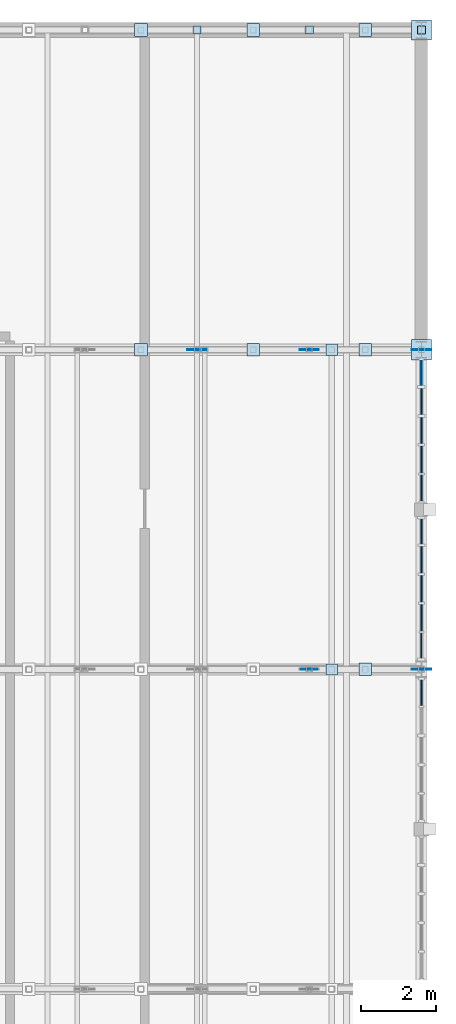
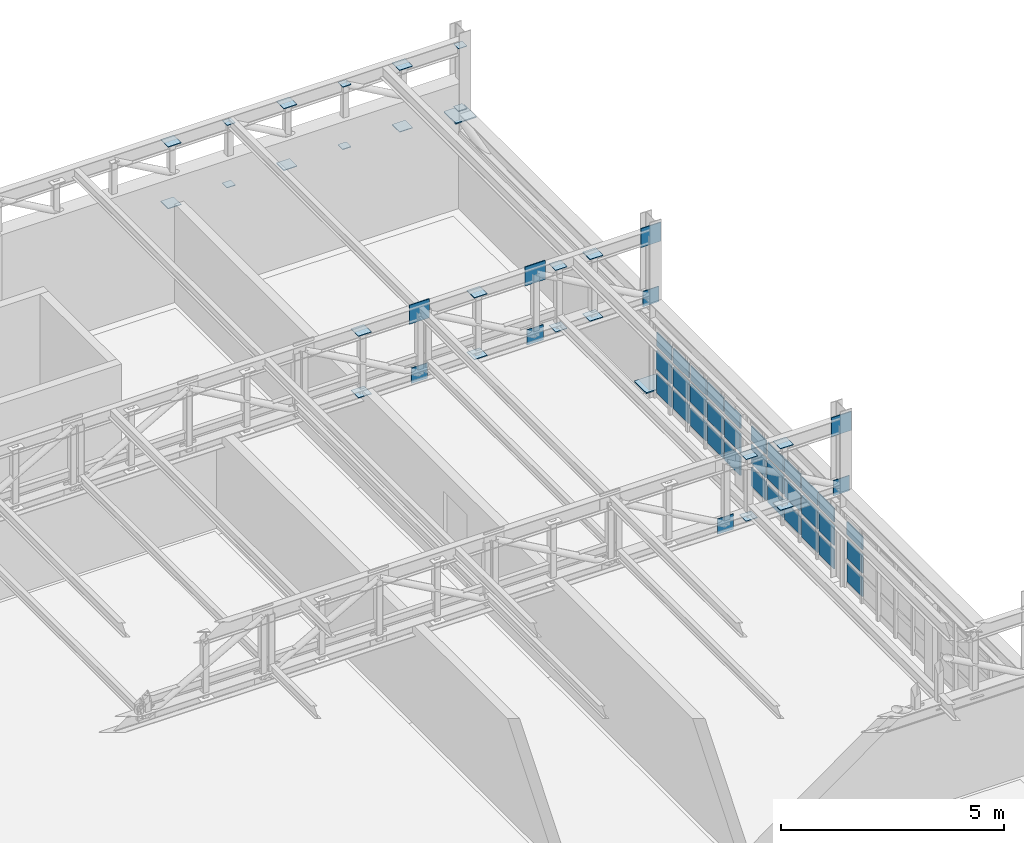
# One storey, part 112 of 128: 68 plates, 3 elements without a shape of their own.
"""IFC4 building model written with IfcOpenShell, lengths in metres."""

import ifcopenshell
import ifcopenshell.guid

model = None  # the IFC model being written
_history = None  # IfcOwnerHistory: only IFC2X3 demands one
_inside = {}  # id of a spatial element -> (the spatial element, [elements in it])
_under = {}  # id of a project, library or spatial element -> (it, [spatial elements below it])
_declared = {}  # id of a project -> (the project, [libraries it declares])
_typed = {}  # id of a type object -> (the type object, [elements of that type])
_made_of = {}  # id of a material, layer set ... -> (it, [elements and type objects made of it])


def new_model(schema):
    """Start an empty IFC model of exactly this schema.

    Asked for "IFC4X3", IfcOpenShell would pick the latest addendum, in which some entities
    have other attributes; the version numbers below select the first issue.
    IFC2X3 requires an IfcOwnerHistory on every rooted entity: one is made here for all.
    """
    global model, _history
    if schema == "IFC4X3":
        model = ifcopenshell.file(schema_version=(4, 3, 0, 0))
    else:
        model = ifcopenshell.file(schema=schema)
    _inside.clear()
    _under.clear()
    _declared.clear()
    _typed.clear()
    _made_of.clear()
    _history = None
    if model.schema == "IFC2X3":
        org = make("IfcOrganization", Name="unknown")
        user = make(
            "IfcPersonAndOrganization",
            ThePerson=make("IfcPerson", FamilyName="unknown"),
            TheOrganization=org,
        )
        app = make(
            "IfcApplication",
            ApplicationDeveloper=org,
            Version="unknown",
            ApplicationFullName="unknown",
            ApplicationIdentifier="unknown",
        )
        _history = make(
            "IfcOwnerHistory",
            OwningUser=user,
            OwningApplication=app,
            ChangeAction="ADDED",
            CreationDate=0,
        )
    return model


def make(cls, **values):
    """One entity of the class cls with the attributes given. An attribute that is None is left unset."""
    return model.create_entity(
        cls, **{name: value for name, value in values.items() if value is not None}
    )


def rooted(cls, **values):
    """An entity with a GlobalId (a new one), such as an element, a storey or a relation."""
    return make(cls, GlobalId=ifcopenshell.guid.new(), OwnerHistory=_history, **values)


def si_unit(unit_type, name, prefix=None):
    """IfcSIUnit, for example si_unit("LENGTHUNIT", "METRE", prefix="MILLI")."""
    return make("IfcSIUnit", UnitType=unit_type, Prefix=prefix, Name=name)


def assignment(units):
    """IfcUnitAssignment: the units of a project."""
    return None if units is None else make("IfcUnitAssignment", Units=units)


def point(xyz):
    """IfcCartesianPoint."""
    return None if xyz is None else make("IfcCartesianPoint", Coordinates=xyz)


def direction(xyz):
    """IfcDirection."""
    return None if xyz is None else make("IfcDirection", DirectionRatios=xyz)


def frame(location, z_axis=None, x_axis=None):
    """IfcAxis2Placement3D, a coordinate frame: its origin and axes. An axis left out is left unset."""
    return make(
        "IfcAxis2Placement3D",
        Location=point(location),
        Axis=direction(z_axis),
        RefDirection=direction(x_axis),
    )


def frame_2d(location, x_axis=None):
    """IfcAxis2Placement2D, a coordinate frame in the plane: its origin and x axis."""
    return make(
        "IfcAxis2Placement2D", Location=point(location), RefDirection=direction(x_axis)
    )


def origin():
    """The frame at (0, 0, 0) with its axes left unset."""
    return frame((0.0, 0.0, 0.0))


def origin_2d():
    """The frame at (0, 0) in the plane with its x axis left unset."""
    return frame_2d((0.0, 0.0))


def place(relative_to, where):
    """IfcLocalPlacement: puts the frame where relative to a parent placement (None: the world)."""
    return make(
        "IfcLocalPlacement", PlacementRelTo=relative_to, RelativePlacement=where
    )


def context(
    kind, dimensions, precision=None, world=None, true_north=None, identifier=None
):
    """IfcGeometricRepresentationContext, for example the 3D "Model" context."""
    return make(
        "IfcGeometricRepresentationContext",
        ContextIdentifier=identifier,
        ContextType=kind,
        CoordinateSpaceDimension=dimensions,
        Precision=precision,
        WorldCoordinateSystem=world,
        TrueNorth=true_north,
    )


def subcontext(parent, identifier, kind, view, scale=None):
    """IfcGeometricRepresentationSubContext, for example "Body" below "Model"."""
    return make(
        "IfcGeometricRepresentationSubContext",
        ContextIdentifier=identifier,
        ContextType=kind,
        ParentContext=parent,
        TargetScale=scale,
        TargetView=view,
    )


def project(units=None, contexts=None):
    """IfcProject with its units and contexts."""
    return rooted(
        "IfcProject",
        Name="project",
        RepresentationContexts=contexts,
        UnitsInContext=assignment(units),
    )


def spatial(cls, under=None, at=None, **own):
    """A site, building, storey or space (cls), placed at a placement, below another one or the project."""
    s = rooted(cls, ObjectPlacement=at, **own)
    if under is not None:
        _under.setdefault(under.id(), (under, []))[1].append(s)
    return s


def profile(cls, at=None, kind="AREA", **sizes):
    """A parametric profile (cls). Its sizes go by their IFC names, for example OverallWidth=200.0."""
    return make(cls, ProfileType=kind, Position=at, **sizes)


def rectangle(**sizes):
    """IfcRectangleProfileDef."""
    return profile("IfcRectangleProfileDef", **sizes)


def extrude(swept, where, along, depth):
    """IfcExtrudedAreaSolid: the profile swept, set in the frame where, extruded along a direction by depth."""
    return make(
        "IfcExtrudedAreaSolid",
        SweptArea=swept,
        Position=where,
        ExtrudedDirection=direction(along),
        Depth=depth,
    )


def shape(context_of_items, identifier, shape_type, items):
    """IfcShapeRepresentation: the items that make up one representation, for example the "Body"."""
    return make(
        "IfcShapeRepresentation",
        ContextOfItems=context_of_items,
        RepresentationIdentifier=identifier,
        RepresentationType=shape_type,
        Items=items,
    )


def material(Name=None, Category=None):
    """IfcMaterial."""
    return make("IfcMaterial", Name=Name, Category=Category)


def layer(
    of_material, thickness, ventilated=None, Name=None, Category=None, Priority=None
):
    """IfcMaterialLayer: one layer of a wall or slab, of a material (None: an air gap)."""
    return make(
        "IfcMaterialLayer",
        Material=of_material,
        LayerThickness=thickness,
        IsVentilated=ventilated,
        Name=Name,
        Category=Category,
        Priority=Priority,
    )


def layer_set(layers, Name=None):
    """IfcMaterialLayerSet."""
    return make("IfcMaterialLayerSet", MaterialLayers=layers, LayerSetName=Name)


def made_of(thing, what):
    """Note that an element or type object is made of a material, layer set ...; save() writes the relation."""
    if what is not None:
        _made_of.setdefault(what.id(), (what, []))[1].append(thing)
    return thing


def type_object(cls, material=None, **own):
    """A type object (cls), such as IfcWallType, which elements share."""
    return made_of(rooted(cls, **own), material)


def element(
    cls,
    number,
    at=None,
    inside=None,
    cuts=None,
    type_object=None,
    material=None,
    context=None,
    identifier="Body",
    shape_type=None,
    held_by="IfcProductDefinitionShape",
    body=None,
    shapes=None,
    **own,
):
    """One element of the class cls, such as IfcWall. Its Tag is "e" and its number.

    at: its placement. inside: the storey or other place that contains it. cuts: it is an
    opening in that element (IfcRelVoidsElement). A single representation is given by context,
    identifier, shape_type and body (its items); several are given by shapes. held_by: the class
    of the entity that holds the representations. save() writes the other relations.
    """
    e = rooted(cls, Tag="e%d" % number, ObjectPlacement=at, **own)
    if body is not None:
        shapes = [shape(context, identifier, shape_type, body)]
    if shapes is not None:
        e.Representation = make(held_by, Representations=shapes)
    if inside is not None:
        _inside.setdefault(inside.id(), (inside, []))[1].append(e)
    if cuts is not None:
        rooted(
            "IfcRelVoidsElement", RelatingBuildingElement=cuts, RelatedOpeningElement=e
        )
    if type_object is not None:
        _typed.setdefault(type_object.id(), (type_object, []))[1].append(e)
    return made_of(e, material)


def aggregate(whole, parts):
    """IfcRelAggregates: a whole, such as a stair, and the parts it consists of."""
    return rooted("IfcRelAggregates", RelatingObject=whole, RelatedObjects=parts)


def save(model, path):
    """Write the relations noted so far, then the file.

    IfcRelAggregates (storeys below a building ...), IfcRelContainedInSpatialStructure (elements
    in a storey), IfcRelDefinesByType, IfcRelAssociatesMaterial and IfcRelDeclares: one each for
    every whole, place, type object, material and project.
    """
    for whole, parts in _under.values():
        aggregate(whole, parts)
    for where, things in _inside.values():
        rooted(
            "IfcRelContainedInSpatialStructure",
            RelatedElements=things,
            RelatingStructure=where,
        )
    for kind, things in _typed.values():
        rooted("IfcRelDefinesByType", RelatedObjects=things, RelatingType=kind)
    for what, things in _made_of.values():
        rooted("IfcRelAssociatesMaterial", RelatedObjects=things, RelatingMaterial=what)
    for by, libraries in _declared.values():
        rooted("IfcRelDeclares", RelatingContext=by, RelatedDefinitions=libraries)
    model.write(path)


model = new_model("IFC4")

# Units and contexts
model_context = context("Model", 3, precision=1e-05, world=origin(), true_north=direction((0.0, 1.0)))
body_context = subcontext(model_context, "Body", "Model", "MODEL_VIEW")
ifc_project = project(units=[si_unit("LENGTHUNIT", "METRE"), si_unit("AREAUNIT", "SQUARE_METRE"), si_unit("VOLUMEUNIT", "CUBIC_METRE"), si_unit("PLANEANGLEUNIT", "RADIAN"), si_unit("MASSUNIT", "GRAM", prefix="KILO")], contexts=[model_context])

# Site, building, storey
site_placement = place(None, origin())
site = spatial("IfcSite", under=ifc_project, at=site_placement, CompositionType="ELEMENT")
building_placement = place(site_placement, origin())
building = spatial("IfcBuilding", under=site, at=building_placement, Name="Serraforn Aerial Cableway Station", CompositionType="ELEMENT")
storey_placement = place(building_placement, frame((0.0, 0.0, 9.0)))
storey = spatial("IfcBuildingStorey", under=building, at=storey_placement, Name="L02", CompositionType="ELEMENT", Elevation=9.0)

# Curtain wall, plate
ifc_material_1 = material(Name="Anodised bronze unitised curtain wall")
curtain_wall_type_1 = type_object("IfcCurtainWallType", Name="CW-SYS-14", PredefinedType="USERDEFINED", material=ifc_material_1)
curtain_wall_1_placement = place(storey_placement, origin())
curtain_wall_1 = element("IfcCurtainWall", 1, at=curtain_wall_1_placement, inside=storey, type_object=curtain_wall_type_1, Name="Unitised Curtain Wall CW-EG-L02-E7B", ObjectType="UNITISED CURTAIN WALL", PredefinedType="USERDEFINED")
ifc_material_2 = material(Name="Solar-control low-E double glazing", Category="glass")
ifc_layer_1 = layer(ifc_material_2, 0.02587890625)
ifc_layer_set_1 = layer_set([ifc_layer_1], Name="Solar-control low-E double glazing")
plate_type_1 = type_object("IfcPlateType", Name="CW-GLZ-1", PredefinedType="CURTAIN_PANEL", material=ifc_layer_set_1)
plate_1_placement = place(storey_placement, frame((168.0, 104.8310546875, 1.42236328125), z_axis=(0.0, 0.0, 1.0), x_axis=(1.0, 0.0, 0.0)))
plate_1 = element("IfcPlate", 2, at=plate_1_placement, type_object=plate_type_1, Name="Curtain Wall Panel CW-EG-L02-E7B-P5-3", PredefinedType="CURTAIN_PANEL", context=body_context, shape_type="SweptSolid", body=[
    extrude(rectangle(XDim=0.02587890625, YDim=0.685791015625, at=origin_2d()), origin(), (0.0, 0.0, 1.0), 0.370361328125),
])

curtain_wall_type_2 = type_object("IfcCurtainWallType", Name="CW-SYS-13", PredefinedType="USERDEFINED", material=ifc_material_1)
curtain_wall_2_placement = place(storey_placement, origin())
curtain_wall_2 = element("IfcCurtainWall", 3, at=curtain_wall_2_placement, inside=storey, type_object=curtain_wall_type_2, Name="Unitised Curtain Wall CW-EG-L02-E7A", ObjectType="UNITISED CURTAIN WALL", PredefinedType="USERDEFINED")
ifc_layer_2 = layer(ifc_material_2, 0.028076171875)
ifc_layer_set_2 = layer_set([ifc_layer_2], Name="Solar-control low-E double glazing")
plate_type_2 = type_object("IfcPlateType", Name="CW-GLZ-2", PredefinedType="CURTAIN_PANEL", material=ifc_layer_set_2)
plate_2_placement = place(storey_placement, frame((168.0, 97.533935546875, 0.137939453125), z_axis=(0.0, 0.0, 1.0), x_axis=(1.0, 0.0, 0.0)))
plate_2 = element("IfcPlate", 4, at=plate_2_placement, type_object=plate_type_2, Name="Curtain Wall Panel CW-EG-L02-E7A-P1-1", PredefinedType="CURTAIN_PANEL", context=body_context, shape_type="SweptSolid", body=[
    extrude(rectangle(XDim=0.028076171875, YDim=0.67578125, at=origin_2d()), origin(), (0.0, 0.0, 1.0), 0.52490234375),
])

curtain_wall_type_3 = type_object("IfcCurtainWallType", Name="CW-SYS-10", PredefinedType="USERDEFINED", material=ifc_material_1)
curtain_wall_3_placement = place(storey_placement, origin())
curtain_wall_3 = element("IfcCurtainWall", 5, at=curtain_wall_3_placement, inside=storey, type_object=curtain_wall_type_3, Name="Unitised Curtain Wall CW-EG-L02-E6B", ObjectType="UNITISED CURTAIN WALL", PredefinedType="USERDEFINED")
ifc_layer_3 = layer(ifc_material_2, 0.030029296875)
ifc_layer_set_3 = layer_set([ifc_layer_3], Name="Solar-control low-E double glazing")
plate_type_3 = type_object("IfcPlateType", Name="CW-GLZ-3", PredefinedType="CURTAIN_PANEL", material=ifc_layer_set_3)
plate_3_placement = place(storey_placement, frame((168.0, 96.273681640625, 0.142578125), z_axis=(0.0, 0.0, 1.0), x_axis=(1.0, 0.0, 0.0)))
plate_3 = element("IfcPlate", 6, at=plate_3_placement, type_object=plate_type_3, Name="Curtain Wall Panel CW-EG-L02-E6B-P5-1", PredefinedType="CURTAIN_PANEL", context=body_context, shape_type="SweptSolid", body=[
    extrude(rectangle(XDim=0.030029296875, YDim=0.69091796875, at=origin_2d()), origin(), (0.0, 0.0, 1.0), 0.512451171875),
])

# Plate
plate_4_placement = place(storey_placement, frame((168.0, 97.533935546875, 0.77880859375), z_axis=(0.0, 0.0, 1.0), x_axis=(1.0, 0.0, 0.0)))
plate_4 = element("IfcPlate", 7, at=plate_4_placement, type_object=plate_type_3, Name="Curtain Wall Panel CW-EG-L02-E7A-P1-2", PredefinedType="CURTAIN_PANEL", context=body_context, shape_type="SweptSolid", body=[
    extrude(rectangle(XDim=0.030029296875, YDim=0.67578125, at=origin_2d()), origin(), (0.0, 0.0, 1.0), 0.512451171875),
])

plate_5_placement = place(storey_placement, frame((168.0, 98.283203125, 0.142578125), z_axis=(0.0, 0.0, 1.0), x_axis=(1.0, 0.0, 0.0)))
plate_5 = element("IfcPlate", 8, at=plate_5_placement, type_object=plate_type_3, Name="Curtain Wall Panel CW-EG-L02-E7A-P2-1", PredefinedType="CURTAIN_PANEL", context=body_context, shape_type="SweptSolid", body=[
    extrude(rectangle(XDim=0.030029296875, YDim=0.720947265625, at=origin_2d()), origin(), (0.0, 0.0, 1.0), 0.512451171875),
])

plate_6_placement = place(storey_placement, frame((168.0, 101.754638671875, 0.142578125), z_axis=(0.0, 0.0, 1.0), x_axis=(1.0, 0.0, 0.0)))
plate_6 = element("IfcPlate", 9, at=plate_6_placement, type_object=plate_type_3, Name="Curtain Wall Panel CW-EG-L02-E7B-P1-1", PredefinedType="CURTAIN_PANEL", context=body_context, shape_type="SweptSolid", body=[
    extrude(rectangle(XDim=0.030029296875, YDim=0.693359375, at=origin_2d()), origin(), (0.0, 0.0, 1.0), 0.512451171875),
])

ifc_layer_4 = layer(ifc_material_2, 0.031982421875)
ifc_layer_set_4 = layer_set([ifc_layer_4], Name="Solar-control low-E double glazing")
plate_type_4 = type_object("IfcPlateType", Name="CW-GLZ-4", PredefinedType="CURTAIN_PANEL", material=ifc_layer_set_4)
plate_7_placement = place(storey_placement, frame((168.0, 96.273681640625, 0.786376953125), z_axis=(0.0, 0.0, 1.0), x_axis=(1.0, 0.0, 0.0)))
plate_7 = element("IfcPlate", 10, at=plate_7_placement, type_object=plate_type_4, Name="Curtain Wall Panel CW-EG-L02-E6B-P5-2", PredefinedType="CURTAIN_PANEL", context=body_context, shape_type="SweptSolid", body=[
    extrude(rectangle(XDim=0.031982421875, YDim=0.69091796875, at=origin_2d()), origin(), (0.0, 0.0, 1.0), 0.49755859375),
])

plate_8_placement = place(storey_placement, frame((168.0, 97.533935546875, 1.42236328125), z_axis=(0.0, 0.0, 1.0), x_axis=(1.0, 0.0, 0.0)))
plate_8 = element("IfcPlate", 11, at=plate_8_placement, type_object=plate_type_4, Name="Curtain Wall Panel CW-EG-L02-E7A-P1-3", PredefinedType="CURTAIN_PANEL", context=body_context, shape_type="SweptSolid", body=[
    extrude(rectangle(XDim=0.031982421875, YDim=0.67578125, at=origin_2d()), origin(), (0.0, 0.0, 1.0), 0.370361328125),
])

plate_9_placement = place(storey_placement, frame((168.0, 98.283203125, 0.786376953125), z_axis=(0.0, 0.0, 1.0), x_axis=(1.0, 0.0, 0.0)))
plate_9 = element("IfcPlate", 12, at=plate_9_placement, type_object=plate_type_4, Name="Curtain Wall Panel CW-EG-L02-E7A-P2-2", PredefinedType="CURTAIN_PANEL", context=body_context, shape_type="SweptSolid", body=[
    extrude(rectangle(XDim=0.031982421875, YDim=0.720947265625, at=origin_2d()), origin(), (0.0, 0.0, 1.0), 0.49755859375),
])

plate_10_placement = place(storey_placement, frame((168.0, 99.0576171875, 0.150390625), z_axis=(0.0, 0.0, 1.0), x_axis=(1.0, 0.0, 0.0)))
plate_10 = element("IfcPlate", 13, at=plate_10_placement, type_object=plate_type_4, Name="Curtain Wall Panel CW-EG-L02-E7A-P3-1", PredefinedType="CURTAIN_PANEL", context=body_context, shape_type="SweptSolid", body=[
    extrude(rectangle(XDim=0.031982421875, YDim=0.7158203125, at=origin_2d()), origin(), (0.0, 0.0, 1.0), 0.49755859375),
])

plate_11_placement = place(storey_placement, frame((168.0, 101.754638671875, 0.786376953125), z_axis=(0.0, 0.0, 1.0), x_axis=(1.0, 0.0, 0.0)))
plate_11 = element("IfcPlate", 14, at=plate_11_placement, type_object=plate_type_4, Name="Curtain Wall Panel CW-EG-L02-E7B-P1-2", PredefinedType="CURTAIN_PANEL", context=body_context, shape_type="SweptSolid", body=[
    extrude(rectangle(XDim=0.031982421875, YDim=0.693359375, at=origin_2d()), origin(), (0.0, 0.0, 1.0), 0.49755859375),
])

plate_12_placement = place(storey_placement, frame((168.0, 102.515380859375, 0.150390625), z_axis=(0.0, 0.0, 1.0), x_axis=(1.0, 0.0, 0.0)))
plate_12 = element("IfcPlate", 15, at=plate_12_placement, type_object=plate_type_4, Name="Curtain Wall Panel CW-EG-L02-E7B-P2-1", PredefinedType="CURTAIN_PANEL", context=body_context, shape_type="SweptSolid", body=[
    extrude(rectangle(XDim=0.031982421875, YDim=0.7158203125, at=origin_2d()), origin(), (0.0, 0.0, 1.0), 0.49755859375),
])

ifc_layer_5 = layer(ifc_material_2, 0.033935546875)
ifc_layer_set_5 = layer_set([ifc_layer_5], Name="Solar-control low-E double glazing")
plate_type_5 = type_object("IfcPlateType", Name="CW-GLZ-5", PredefinedType="CURTAIN_PANEL", material=ifc_layer_set_5)
plate_13_placement = place(storey_placement, frame((168.0, 96.273681640625, 1.4296875), z_axis=(0.0, 0.0, 1.0), x_axis=(1.0, 0.0, 0.0)))
plate_13 = element("IfcPlate", 16, at=plate_13_placement, type_object=plate_type_5, Name="Curtain Wall Panel CW-EG-L02-E6B-P5-3", PredefinedType="CURTAIN_PANEL", context=body_context, shape_type="SweptSolid", body=[
    extrude(rectangle(XDim=0.033935546875, YDim=0.69091796875, at=origin_2d()), origin(), (0.0, 0.0, 1.0), 0.355224609375),
])

aggregate(curtain_wall_3, [plate_3, plate_7, plate_13])

plate_14_placement = place(storey_placement, frame((168.0, 98.283203125, 1.4296875), z_axis=(0.0, 0.0, 1.0), x_axis=(1.0, 0.0, 0.0)))
plate_14 = element("IfcPlate", 17, at=plate_14_placement, type_object=plate_type_5, Name="Curtain Wall Panel CW-EG-L02-E7A-P2-3", PredefinedType="CURTAIN_PANEL", context=body_context, shape_type="SweptSolid", body=[
    extrude(rectangle(XDim=0.033935546875, YDim=0.720947265625, at=origin_2d()), origin(), (0.0, 0.0, 1.0), 0.355224609375),
])

plate_15_placement = place(storey_placement, frame((168.0, 99.0576171875, 0.7939453125), z_axis=(0.0, 0.0, 1.0), x_axis=(1.0, 0.0, 0.0)))
plate_15 = element("IfcPlate", 18, at=plate_15_placement, type_object=plate_type_5, Name="Curtain Wall Panel CW-EG-L02-E7A-P3-2", PredefinedType="CURTAIN_PANEL", context=body_context, shape_type="SweptSolid", body=[
    extrude(rectangle(XDim=0.033935546875, YDim=0.7158203125, at=origin_2d()), origin(), (0.0, 0.0, 1.0), 0.482421875),
])

plate_16_placement = place(storey_placement, frame((168.0, 99.83203125, 0.15771484375), z_axis=(0.0, 0.0, 1.0), x_axis=(1.0, 0.0, 0.0)))
plate_16 = element("IfcPlate", 19, at=plate_16_placement, type_object=plate_type_5, Name="Curtain Wall Panel CW-EG-L02-E7A-P4-1", PredefinedType="CURTAIN_PANEL", context=body_context, shape_type="SweptSolid", body=[
    extrude(rectangle(XDim=0.033935546875, YDim=0.7109375, at=origin_2d()), origin(), (0.0, 0.0, 1.0), 0.482421875),
])

plate_17_placement = place(storey_placement, frame((168.0, 101.754638671875, 1.4296875), z_axis=(0.0, 0.0, 1.0), x_axis=(1.0, 0.0, 0.0)))
plate_17 = element("IfcPlate", 20, at=plate_17_placement, type_object=plate_type_5, Name="Curtain Wall Panel CW-EG-L02-E7B-P1-3", PredefinedType="CURTAIN_PANEL", context=body_context, shape_type="SweptSolid", body=[
    extrude(rectangle(XDim=0.033935546875, YDim=0.693359375, at=origin_2d()), origin(), (0.0, 0.0, 1.0), 0.355224609375),
])

plate_18_placement = place(storey_placement, frame((168.0, 102.515380859375, 0.7939453125), z_axis=(0.0, 0.0, 1.0), x_axis=(1.0, 0.0, 0.0)))
plate_18 = element("IfcPlate", 21, at=plate_18_placement, type_object=plate_type_5, Name="Curtain Wall Panel CW-EG-L02-E7B-P2-2", PredefinedType="CURTAIN_PANEL", context=body_context, shape_type="SweptSolid", body=[
    extrude(rectangle(XDim=0.033935546875, YDim=0.7158203125, at=origin_2d()), origin(), (0.0, 0.0, 1.0), 0.482421875),
])

plate_19_placement = place(storey_placement, frame((168.0, 103.289794921875, 0.15771484375), z_axis=(0.0, 0.0, 1.0), x_axis=(1.0, 0.0, 0.0)))
plate_19 = element("IfcPlate", 22, at=plate_19_placement, type_object=plate_type_5, Name="Curtain Wall Panel CW-EG-L02-E7B-P3-1", PredefinedType="CURTAIN_PANEL", context=body_context, shape_type="SweptSolid", body=[
    extrude(rectangle(XDim=0.033935546875, YDim=0.7109375, at=origin_2d()), origin(), (0.0, 0.0, 1.0), 0.482421875),
])

ifc_layer_6 = layer(ifc_material_2, 0.035888671875)
ifc_layer_set_6 = layer_set([ifc_layer_6], Name="Solar-control low-E double glazing")
plate_type_6 = type_object("IfcPlateType", Name="CW-GLZ-6", PredefinedType="CURTAIN_PANEL", material=ifc_layer_set_6)
plate_20_placement = place(storey_placement, frame((168.0, 99.0576171875, 1.4375), z_axis=(0.0, 0.0, 1.0), x_axis=(1.0, 0.0, 0.0)))
plate_20 = element("IfcPlate", 23, at=plate_20_placement, type_object=plate_type_6, Name="Curtain Wall Panel CW-EG-L02-E7A-P3-3", PredefinedType="CURTAIN_PANEL", context=body_context, shape_type="SweptSolid", body=[
    extrude(rectangle(XDim=0.035888671875, YDim=0.7158203125, at=origin_2d()), origin(), (0.0, 0.0, 1.0), 0.375244140625),
])

plate_21_placement = place(storey_placement, frame((168.0, 99.83203125, 0.80126953125), z_axis=(0.0, 0.0, 1.0), x_axis=(1.0, 0.0, 0.0)))
plate_21 = element("IfcPlate", 24, at=plate_21_placement, type_object=plate_type_6, Name="Curtain Wall Panel CW-EG-L02-E7A-P4-2", PredefinedType="CURTAIN_PANEL", context=body_context, shape_type="SweptSolid", body=[
    extrude(rectangle(XDim=0.035888671875, YDim=0.7109375, at=origin_2d()), origin(), (0.0, 0.0, 1.0), 0.50244140625),
])

plate_22_placement = place(storey_placement, frame((168.0, 100.587890625, 0.165283203125), z_axis=(0.0, 0.0, 1.0), x_axis=(1.0, 0.0, 0.0)))
plate_22 = element("IfcPlate", 25, at=plate_22_placement, type_object=plate_type_6, Name="Curtain Wall Panel CW-EG-L02-E7A-P5-1", PredefinedType="CURTAIN_PANEL", context=body_context, shape_type="SweptSolid", body=[
    extrude(rectangle(XDim=0.035888671875, YDim=0.66845703125, at=origin_2d()), origin(), (0.0, 0.0, 1.0), 0.50244140625),
])

plate_23_placement = place(storey_placement, frame((168.0, 102.515380859375, 1.4375), z_axis=(0.0, 0.0, 1.0), x_axis=(1.0, 0.0, 0.0)))
plate_23 = element("IfcPlate", 26, at=plate_23_placement, type_object=plate_type_6, Name="Curtain Wall Panel CW-EG-L02-E7B-P2-3", PredefinedType="CURTAIN_PANEL", context=body_context, shape_type="SweptSolid", body=[
    extrude(rectangle(XDim=0.035888671875, YDim=0.7158203125, at=origin_2d()), origin(), (0.0, 0.0, 1.0), 0.375244140625),
])

plate_24_placement = place(storey_placement, frame((168.0, 103.289794921875, 0.80126953125), z_axis=(0.0, 0.0, 1.0), x_axis=(1.0, 0.0, 0.0)))
plate_24 = element("IfcPlate", 27, at=plate_24_placement, type_object=plate_type_6, Name="Curtain Wall Panel CW-EG-L02-E7B-P3-2", PredefinedType="CURTAIN_PANEL", context=body_context, shape_type="SweptSolid", body=[
    extrude(rectangle(XDim=0.035888671875, YDim=0.7109375, at=origin_2d()), origin(), (0.0, 0.0, 1.0), 0.50244140625),
])

plate_25_placement = place(storey_placement, frame((168.0, 104.064208984375, 0.165283203125), z_axis=(0.0, 0.0, 1.0), x_axis=(1.0, 0.0, 0.0)))
plate_25 = element("IfcPlate", 28, at=plate_25_placement, type_object=plate_type_6, Name="Curtain Wall Panel CW-EG-L02-E7B-P4-1", PredefinedType="CURTAIN_PANEL", context=body_context, shape_type="SweptSolid", body=[
    extrude(rectangle(XDim=0.035888671875, YDim=0.705810546875, at=origin_2d()), origin(), (0.0, 0.0, 1.0), 0.50244140625),
])

ifc_layer_7 = layer(ifc_material_2, 0.029052734375)
ifc_layer_set_7 = layer_set([ifc_layer_7], Name="Solar-control low-E double glazing")
plate_type_7 = type_object("IfcPlateType", Name="CW-GLZ-7", PredefinedType="CURTAIN_PANEL", material=ifc_layer_set_7)
plate_26_placement = place(storey_placement, frame((168.0, 99.83203125, 1.40966796875), z_axis=(0.0, 0.0, 1.0), x_axis=(1.0, 0.0, 0.0)))
plate_26 = element("IfcPlate", 29, at=plate_26_placement, type_object=plate_type_7, Name="Curtain Wall Panel CW-EG-L02-E7A-P4-3", PredefinedType="CURTAIN_PANEL", context=body_context, shape_type="SweptSolid", body=[
    extrude(rectangle(XDim=0.029052734375, YDim=0.7109375, at=origin_2d()), origin(), (0.0, 0.0, 1.0), 0.397705078125),
])

plate_27_placement = place(storey_placement, frame((168.0, 100.587890625, 0.77392578125), z_axis=(0.0, 0.0, 1.0), x_axis=(1.0, 0.0, 0.0)))
plate_27 = element("IfcPlate", 30, at=plate_27_placement, type_object=plate_type_7, Name="Curtain Wall Panel CW-EG-L02-E7A-P5-2", PredefinedType="CURTAIN_PANEL", context=body_context, shape_type="SweptSolid", body=[
    extrude(rectangle(XDim=0.029052734375, YDim=0.66845703125, at=origin_2d()), origin(), (0.0, 0.0, 1.0), 0.52490234375),
])

plate_28_placement = place(storey_placement, frame((168.0, 103.289794921875, 1.40966796875), z_axis=(0.0, 0.0, 1.0), x_axis=(1.0, 0.0, 0.0)))
plate_28 = element("IfcPlate", 31, at=plate_28_placement, type_object=plate_type_7, Name="Curtain Wall Panel CW-EG-L02-E7B-P3-3", PredefinedType="CURTAIN_PANEL", context=body_context, shape_type="SweptSolid", body=[
    extrude(rectangle(XDim=0.029052734375, YDim=0.7109375, at=origin_2d()), origin(), (0.0, 0.0, 1.0), 0.397705078125),
])

plate_29_placement = place(storey_placement, frame((168.0, 104.064208984375, 0.77392578125), z_axis=(0.0, 0.0, 1.0), x_axis=(1.0, 0.0, 0.0)))
plate_29 = element("IfcPlate", 32, at=plate_29_placement, type_object=plate_type_7, Name="Curtain Wall Panel CW-EG-L02-E7B-P4-2", PredefinedType="CURTAIN_PANEL", context=body_context, shape_type="SweptSolid", body=[
    extrude(rectangle(XDim=0.029052734375, YDim=0.705810546875, at=origin_2d()), origin(), (0.0, 0.0, 1.0), 0.52490234375),
])

plate_30_placement = place(storey_placement, frame((168.0, 104.8310546875, 0.137939453125), z_axis=(0.0, 0.0, 1.0), x_axis=(1.0, 0.0, 0.0)))
plate_30 = element("IfcPlate", 33, at=plate_30_placement, type_object=plate_type_7, Name="Curtain Wall Panel CW-EG-L02-E7B-P5-1", PredefinedType="CURTAIN_PANEL", context=body_context, shape_type="SweptSolid", body=[
    extrude(rectangle(XDim=0.029052734375, YDim=0.685791015625, at=origin_2d()), origin(), (0.0, 0.0, 1.0), 0.52490234375),
])

ifc_layer_8 = layer(ifc_material_2, 0.031005859375)
ifc_layer_set_8 = layer_set([ifc_layer_8], Name="Solar-control low-E double glazing")
plate_type_8 = type_object("IfcPlateType", Name="CW-GLZ-8", PredefinedType="CURTAIN_PANEL", material=ifc_layer_set_8)
plate_31_placement = place(storey_placement, frame((168.0, 100.587890625, 1.414794921875), z_axis=(0.0, 0.0, 1.0), x_axis=(1.0, 0.0, 0.0)))
plate_31 = element("IfcPlate", 34, at=plate_31_placement, type_object=plate_type_8, Name="Curtain Wall Panel CW-EG-L02-E7A-P5-3", PredefinedType="CURTAIN_PANEL", context=body_context, shape_type="SweptSolid", body=[
    extrude(rectangle(XDim=0.031005859375, YDim=0.66845703125, at=origin_2d()), origin(), (0.0, 0.0, 1.0), 0.38525390625),
])

aggregate(curtain_wall_2, [plate_2, plate_4, plate_8, plate_5, plate_9, plate_14, plate_10, plate_15, plate_20, plate_16, plate_21, plate_26, plate_22, plate_27, plate_31])

plate_32_placement = place(storey_placement, frame((168.0, 104.064208984375, 1.414794921875), z_axis=(0.0, 0.0, 1.0), x_axis=(1.0, 0.0, 0.0)))
plate_32 = element("IfcPlate", 35, at=plate_32_placement, type_object=plate_type_8, Name="Curtain Wall Panel CW-EG-L02-E7B-P4-3", PredefinedType="CURTAIN_PANEL", context=body_context, shape_type="SweptSolid", body=[
    extrude(rectangle(XDim=0.031005859375, YDim=0.705810546875, at=origin_2d()), origin(), (0.0, 0.0, 1.0), 0.38525390625),
])

plate_33_placement = place(storey_placement, frame((168.0, 104.8310546875, 0.77880859375), z_axis=(0.0, 0.0, 1.0), x_axis=(1.0, 0.0, 0.0)))
plate_33 = element("IfcPlate", 36, at=plate_33_placement, type_object=plate_type_8, Name="Curtain Wall Panel CW-EG-L02-E7B-P5-2", PredefinedType="CURTAIN_PANEL", context=body_context, shape_type="SweptSolid", body=[
    extrude(rectangle(XDim=0.031005859375, YDim=0.685791015625, at=origin_2d()), origin(), (0.0, 0.0, 1.0), 0.512451171875),
])

aggregate(curtain_wall_1, [plate_6, plate_11, plate_17, plate_12, plate_18, plate_23, plate_19, plate_24, plate_28, plate_25, plate_29, plate_32, plate_30, plate_33, plate_1])

# Plates
ifc_material_3 = material(Name="Steel S355J2", Category="steel")
ifc_layer_9 = layer(ifc_material_3, 0.01611328125)
ifc_layer_set_9 = layer_set([ifc_layer_9], Name="Steel S355J2")
plate_type_9 = type_object("IfcPlateType", Name="PLT-CAP-16", PredefinedType="USERDEFINED", material=ifc_layer_set_9)
for number, where, z_axis, x_axis, name in (
    (37, (165.60009765625, 96.89990234375, 2.592041015625), (0.0, 0.0, 1.0), (1.0, 0.0, 0.0), "Suspension Post Bottom Cap 054"),
    (38, (165.60009765625, 96.89990234375, 4.281982421875), (0.0, 0.0, 1.0), (1.0, 0.0, 0.0), "Suspension Post Top Cap 054"),
    (39, (165.60009765625, 105.449951171875, 2.592041015625), (0.0, 0.0, 1.0), (1.0, 0.0, 0.0), "Suspension Post Bottom Cap 060"),
    (40, (165.60009765625, 105.449951171875, 4.281982421875), (0.0, 0.0, 1.0), (1.0, 0.0, 0.0), "Suspension Post Top Cap 060"),
):
    element("IfcPlate", number, at=place(storey_placement, frame(where, z_axis=z_axis, x_axis=x_axis)), inside=storey, type_object=plate_type_9, Name=name, ObjectType="CAP PLATE", PredefinedType="USERDEFINED", context=body_context, shape_type="SweptSolid", body=[
        extrude(rectangle(XDim=0.300048828125, YDim=0.300048828125, at=origin_2d()), origin(), (0.0, 0.0, 1.0), 0.01611328125),
    ])
ifc_layer_10 = layer(ifc_material_3, 0.01611328125)
ifc_layer_set_10 = layer_set([ifc_layer_10], Name="Steel S355J2")
plate_type_10 = type_object("IfcPlateType", Name="PLT-CAP-16B", PredefinedType="USERDEFINED", material=ifc_layer_set_10)
for number, where, z_axis, x_axis, name in (
    (41, (162.0, 114.0, 4.2919921875), (0.0, 0.0, 1.0), (1.0, 0.0, 0.0), "Garage Gable Post Top Cap GT-12-7"),
    (42, (162.0, 114.0, 2.58203125), (0.0, 0.0, 1.0), (1.0, 0.0, 0.0), "Garage Gable Post Bottom Cap GT-12-7"),
    (43, (165.0, 114.0, 4.2919921875), (0.0, 0.0, 1.0), (1.0, 0.0, 0.0), "Garage Gable Post Top Cap GT-12-8"),
    (44, (165.0, 114.0, 2.58203125), (0.0, 0.0, 1.0), (1.0, 0.0, 0.0), "Garage Gable Post Bottom Cap GT-12-8"),
    (45, (168.0, 114.0, 4.2919921875), (0.0, 0.0, 1.0), (1.0, 0.0, 0.0), "Garage Gable Post Top Cap GT-12-9"),
    (46, (168.0, 114.0, 2.58203125), (0.0, 0.0, 1.0), (1.0, 0.0, 0.0), "Garage Gable Post Bottom Cap GT-12-9"),
):
    element("IfcPlate", number, at=place(storey_placement, frame(where, z_axis=z_axis, x_axis=x_axis)), inside=storey, type_object=plate_type_10, Name=name, ObjectType="CAP PLATE", PredefinedType="USERDEFINED", context=body_context, shape_type="SweptSolid", body=[
        extrude(rectangle(XDim=0.219970703125, YDim=0.219970703125, at=origin_2d()), origin(), (0.0, 0.0, 1.0), 0.01611328125),
    ])
ifc_layer_11 = layer(ifc_material_3, 0.01806640625)
ifc_layer_set_11 = layer_set([ifc_layer_11], Name="Steel S355J2")
plate_type_11 = type_object("IfcPlateType", Name="PLT-CAP-18", PredefinedType="USERDEFINED", material=ifc_layer_set_11)
for number, where, z_axis, x_axis, name in (
    (47, (166.5, 96.89990234375, 2.591064453125), (0.0, 0.0, 1.0), (1.0, 0.0, 0.0), "Sub-Vertical Strut Bottom Cap GT-10-8"),
    (48, (166.5, 96.89990234375, 4.281005859375), (0.0, 0.0, 1.0), (1.0, 0.0, 0.0), "Sub-Vertical Strut Top Cap GT-10-8"),
    (49, (160.5, 105.449951171875, 2.591064453125), (0.0, 0.0, 1.0), (1.0, 0.0, 0.0), "Sub-Vertical Strut Bottom Cap GT-11-6"),
    (50, (160.5, 105.449951171875, 4.281005859375), (0.0, 0.0, 1.0), (1.0, 0.0, 0.0), "Sub-Vertical Strut Top Cap GT-11-6"),
    (51, (163.5, 105.449951171875, 2.591064453125), (0.0, 0.0, 1.0), (1.0, 0.0, 0.0), "Sub-Vertical Strut Bottom Cap GT-11-7"),
    (52, (163.5, 105.449951171875, 4.281005859375), (0.0, 0.0, 1.0), (1.0, 0.0, 0.0), "Sub-Vertical Strut Top Cap GT-11-7"),
    (53, (166.5, 105.449951171875, 2.591064453125), (0.0, 0.0, 1.0), (1.0, 0.0, 0.0), "Sub-Vertical Strut Bottom Cap GT-11-8"),
    (54, (166.5, 105.449951171875, 4.281005859375), (0.0, 0.0, 1.0), (1.0, 0.0, 0.0), "Sub-Vertical Strut Top Cap GT-11-8"),
    (55, (160.5, 114.0, 2.591064453125), (0.0, 0.0, 1.0), (1.0, 0.0, 0.0), "Sub-Vertical Strut Bottom Cap GT-12-6"),
    (56, (160.5, 114.0, 4.281005859375), (0.0, 0.0, 1.0), (1.0, 0.0, 0.0), "Sub-Vertical Strut Top Cap GT-12-6"),
    (57, (163.5, 114.0, 2.591064453125), (0.0, 0.0, 1.0), (1.0, 0.0, 0.0), "Sub-Vertical Strut Bottom Cap GT-12-7"),
    (58, (163.5, 114.0, 4.281005859375), (0.0, 0.0, 1.0), (1.0, 0.0, 0.0), "Sub-Vertical Strut Top Cap GT-12-7"),
    (59, (166.5, 114.0, 2.591064453125), (0.0, 0.0, 1.0), (1.0, 0.0, 0.0), "Sub-Vertical Strut Bottom Cap GT-12-8"),
    (60, (166.5, 114.0, 4.281005859375), (0.0, 0.0, 1.0), (1.0, 0.0, 0.0), "Sub-Vertical Strut Top Cap GT-12-8"),
):
    element("IfcPlate", number, at=place(storey_placement, frame(where, z_axis=z_axis, x_axis=x_axis)), inside=storey, type_object=plate_type_11, Name=name, ObjectType="CAP PLATE", PredefinedType="USERDEFINED", context=body_context, shape_type="SweptSolid", body=[
        extrude(rectangle(XDim=0.340087890625, YDim=0.340087890625, at=origin_2d()), origin(), (0.0, 0.0, 1.0), 0.01806640625),
    ])
ifc_layer_12 = layer(ifc_material_3, 0.02197265625)
ifc_layer_set_12 = layer_set([ifc_layer_12], Name="Steel S355J2")
plate_type_12 = type_object("IfcPlateType", Name="PLT-CAP-22", PredefinedType="USERDEFINED", material=ifc_layer_set_12)
for number, where, z_axis, x_axis, name in (
    (61, (165.0, 96.89990234375, 2.39013671875), (0.0, 0.0, 1.0), (1.0, 0.0, 0.0), "Garage Truss Bottom Node GT-10-8"),
    (62, (168.0, 96.89990234375, 2.39013671875), (0.0, 0.0, 1.0), (1.0, 0.0, 0.0), "Garage Truss Bottom Node GT-10-9"),
    (63, (162.0, 105.449951171875, 2.39013671875), (0.0, 0.0, 1.0), (1.0, 0.0, 0.0), "Garage Truss Bottom Node GT-11-7"),
    (64, (165.0, 105.449951171875, 2.39013671875), (0.0, 0.0, 1.0), (1.0, 0.0, 0.0), "Garage Truss Bottom Node GT-11-8"),
    (65, (168.0, 105.449951171875, 2.39013671875), (0.0, 0.0, 1.0), (1.0, 0.0, 0.0), "Garage Truss Bottom Node GT-11-9"),
):
    element("IfcPlate", number, at=place(storey_placement, frame(where, z_axis=z_axis, x_axis=x_axis)), inside=storey, type_object=plate_type_12, Name=name, ObjectType="CAP PLATE", PredefinedType="USERDEFINED", context=body_context, shape_type="SweptSolid", body=[
        extrude(rectangle(XDim=0.419921875, YDim=0.02197265625, at=origin_2d()), origin(), (0.0, 0.0, 1.0), 0.419921875),
    ])
ifc_layer_13 = layer(ifc_material_3, 0.031982421875)
ifc_layer_set_13 = layer_set([ifc_layer_13], Name="Steel S355J2")
plate_type_13 = type_object("IfcPlateType", Name="PLT-CAP-32", PredefinedType="USERDEFINED", material=ifc_layer_set_13)
for number, where, z_axis, x_axis, name in (
    (66, (168.0, 105.449951171875, 0.18408203125), (0.0, 0.0, 1.0), (1.0, 0.0, 0.0), "Wind Brace Cap Plate 8-A"),
    (67, (168.0, 114.0, 2.3837890625), (0.0, 0.0, 1.0), (1.0, 0.0, 0.0), "Wind Brace Cap Plate 8-B"),
):
    element("IfcPlate", number, at=place(storey_placement, frame(where, z_axis=z_axis, x_axis=x_axis)), inside=storey, type_object=plate_type_13, Name=name, ObjectType="CAP PLATE", PredefinedType="USERDEFINED", context=body_context, shape_type="SweptSolid", body=[
        extrude(rectangle(XDim=0.5400390625, YDim=0.5400390625, at=origin_2d()), origin(), (0.0, 0.0, 1.0), 0.031982421875),
    ])
ifc_layer_14 = layer(ifc_material_3, 0.02587890625)
ifc_layer_set_14 = layer_set([ifc_layer_14], Name="Steel S355J2")
plate_type_14 = type_object("IfcPlateType", Name="PLT-GUS-26", PredefinedType="USERDEFINED", material=ifc_layer_set_14)
for number, where, z_axis, x_axis, name in (
    (68, (168.0, 96.89990234375, 4.030029296875), (0.0, 0.0, 1.0), (1.0, 0.0, 0.0), "Garage Truss Top Node GT-10-9"),
    (69, (162.0, 105.449951171875, 4.030029296875), (0.0, 0.0, 1.0), (1.0, 0.0, 0.0), "Garage Truss Top Node GT-11-7"),
    (70, (165.0, 105.449951171875, 4.030029296875), (0.0, 0.0, 1.0), (1.0, 0.0, 0.0), "Garage Truss Top Node GT-11-8"),
    (71, (168.0, 105.449951171875, 4.030029296875), (0.0, 0.0, 1.0), (1.0, 0.0, 0.0), "Garage Truss Top Node GT-11-9"),
):
    element("IfcPlate", number, at=place(storey_placement, frame(where, z_axis=z_axis, x_axis=x_axis)), inside=storey, type_object=plate_type_14, Name=name, ObjectType="GUSSET PLATE", PredefinedType="USERDEFINED", context=body_context, shape_type="SweptSolid", body=[
        extrude(rectangle(XDim=0.52001953125, YDim=0.02587890625, at=origin_2d()), origin(), (0.0, 0.0, 1.0), 0.52001953125),
    ])

save(model, "model.ifc")
